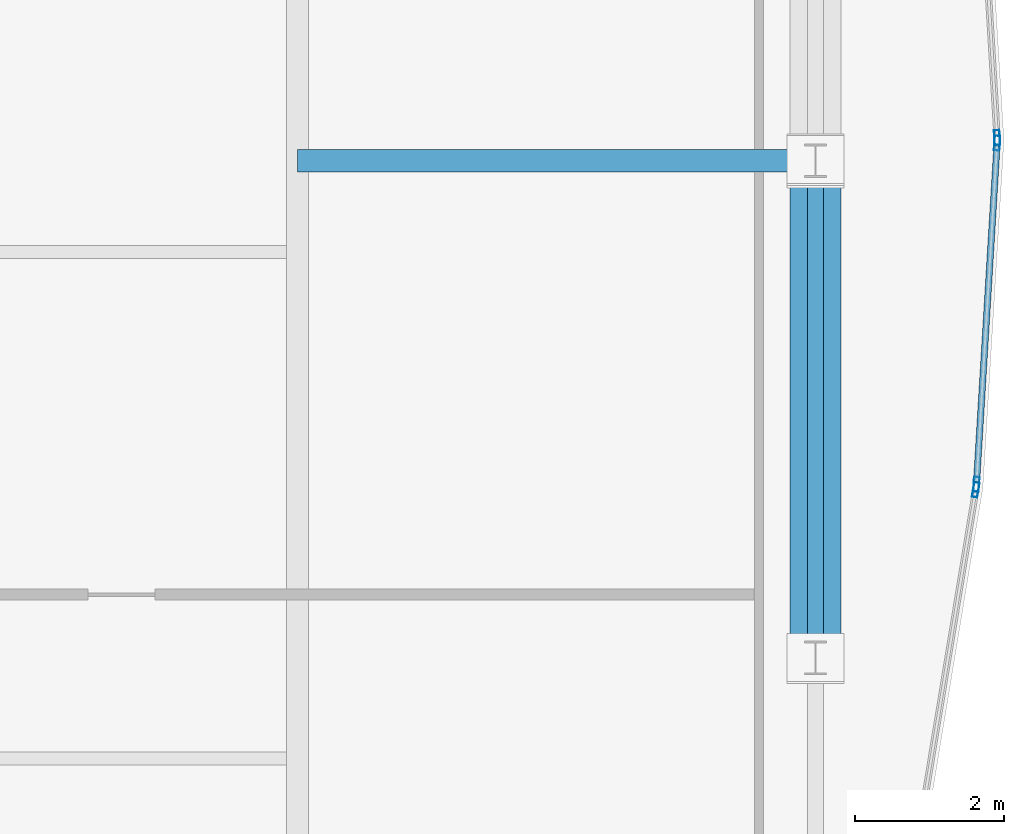
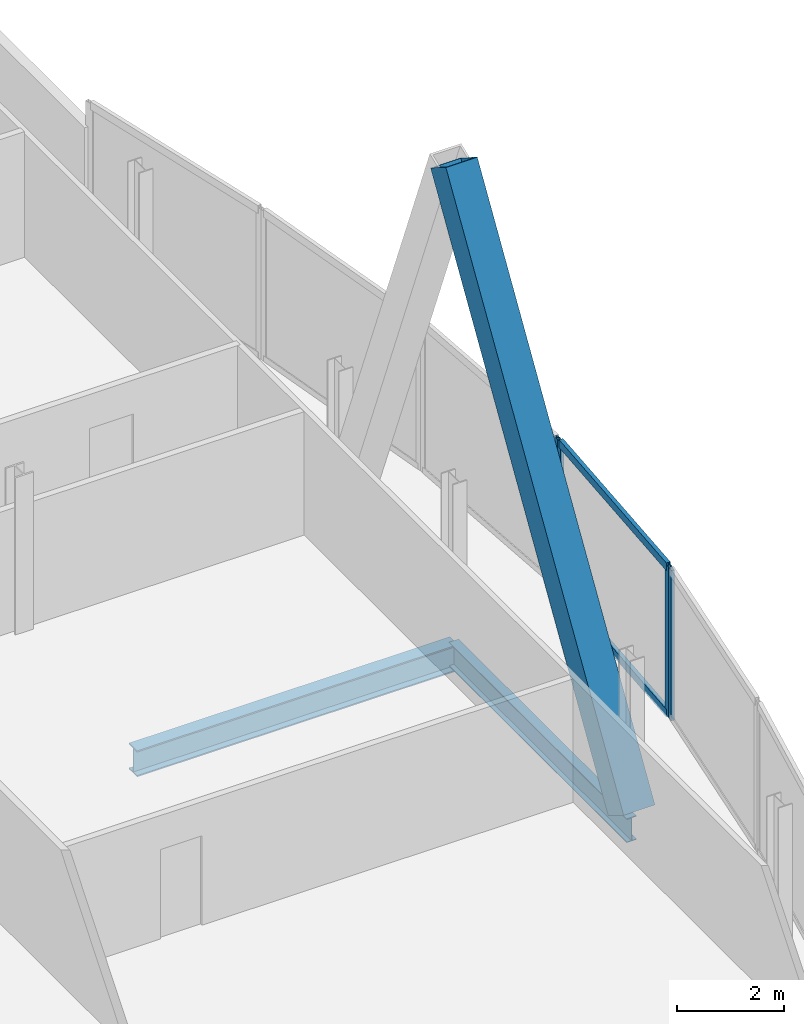
# One storey, part 19 of 31: 7 members, 2 beams, 3 elements without a shape of their own.
"""IFC4 building model written with IfcOpenShell, lengths in metres."""

from ifc_helpers import new_model, si_unit, direction, frame, origin, origin_2d, place, context, subcontext, project, spatial, hollow_rectangle, i_section, extrude, material, material_profile, profile_set, type_object, element, aggregate, save


model = new_model("IFC4")

# Units and contexts
model_context = context("Model", 3, precision=1e-05, world=origin(), true_north=direction((0.0, 1.0)))
body_context = subcontext(model_context, "Body", "Model", "MODEL_VIEW")
ifc_project = project(units=[si_unit("LENGTHUNIT", "METRE"), si_unit("AREAUNIT", "SQUARE_METRE"), si_unit("VOLUMEUNIT", "CUBIC_METRE"), si_unit("PLANEANGLEUNIT", "RADIAN"), si_unit("MASSUNIT", "GRAM", prefix="KILO")], contexts=[model_context])

# Site, building, storey
site_placement = place(None, origin())
site = spatial("IfcSite", under=ifc_project, at=site_placement, CompositionType="ELEMENT")
building_placement = place(site_placement, origin())
building = spatial("IfcBuilding", under=site, at=building_placement, Name="Khoronbel Lancet Exchange", CompositionType="ELEMENT")
storey_placement = place(building_placement, frame((0.0, 0.0, 325.39990234375)))
storey = spatial("IfcBuildingStorey", under=building, at=storey_placement, Name="L84", CompositionType="ELEMENT", Elevation=325.39990234375)

# Beams
ifc_material_1 = material(Name="Steel S355", Category="steel")
ifc_material_profile_1 = material_profile(ifc_material_1, i_section(OverallWidth=0.300048828125, OverallDepth=0.60009765625, WebThickness=0.015380859375, FlangeThickness=0.030029296875, at=origin_2d()), Name="HEB 600")
ifc_profile_set_1 = profile_set([ifc_material_profile_1], Name="Steel S355")
beam_type_1 = type_object("IfcBeamType", Name="BM-BG5", PredefinedType="BEAM", material=ifc_profile_set_1)
beam_1_placement = place(storey_placement, frame((54.675048828125, 31.425048828125, -0.4599609375), z_axis=(1.0, 0.0, 0.0), x_axis=(0.0, 1.0, 0.0)))
element("IfcBeam", 1, at=beam_1_placement, inside=storey, type_object=beam_type_1, Name="Level L84 east lens tie girder LG2E", PredefinedType="BEAM", context=body_context, shape_type="SweptSolid", body=[
    extrude(i_section(OverallWidth=0.300048828125, OverallDepth=0.60009765625, WebThickness=0.015380859375, FlangeThickness=0.030029296875, at=origin_2d()), origin(), (0.0, 0.0, 1.0), 6.954833984375),
])
ifc_material_profile_2 = material_profile(ifc_material_1, i_section(OverallWidth=0.2099609375, OverallDepth=0.550048828125, WebThickness=0.010986328125, FlangeThickness=0.01708984375, at=origin_2d()), Name="IPE 550")
ifc_profile_set_2 = profile_set([ifc_material_profile_2], Name="Steel S355")
beam_type_2 = type_object("IfcBeamType", Name="BM-BSP3", PredefinedType="SPANDREL", material=ifc_profile_set_2)
beam_2_placement = place(storey_placement, frame((61.6298828125, 24.75, -0.434814453125), z_axis=(0.0, 1.0, 0.0), x_axis=(-1.0, 0.0, 0.0)))
element("IfcBeam", 2, at=beam_2_placement, inside=storey, type_object=beam_type_2, Name="Level L84 perimeter spandrel beam SP10", PredefinedType="SPANDREL", context=body_context, shape_type="SweptSolid", body=[
    extrude(i_section(OverallWidth=0.2099609375, OverallDepth=0.550048828125, WebThickness=0.010986328125, FlangeThickness=0.01708984375, at=origin_2d()), origin(), (0.0, 0.0, 1.0), 6.675048828125),
])

# Curtain wall, member
ifc_material_2 = material(Name="Low-E Solar Control Insulating Glass", Category="glass")
curtain_wall_type = type_object("IfcCurtainWallType", Name="CW-4", PredefinedType="NOTDEFINED", material=ifc_material_2)
curtain_wall_1_placement = place(storey_placement, origin())
curtain_wall_1 = element("IfcCurtainWall", 3, at=curtain_wall_1_placement, inside=storey, type_object=curtain_wall_type, Name="Unitised curtain wall CW-L84-E19", PredefinedType="NOTDEFINED")
ifc_material_3 = material(Name="Bronze-Anodised Aluminium 6063-T6", Category="aluminium")
ifc_material_profile_3 = material_profile(ifc_material_3, hollow_rectangle(XDim=0.074951171875, YDim=0.199951171875, WallThickness=0.0048828125, at=origin_2d()), Name="ALU MULLION 75x200")
ifc_profile_set_3 = profile_set([ifc_material_profile_3], Name="Bronze-Anodised Aluminium 6063-T6")
member_type_1 = type_object("IfcMemberType", Name="MEM-CWM2", PredefinedType="MULLION", material=ifc_profile_set_3)
member_1_placement = place(storey_placement, frame((64.068359375, 31.737548828125, 0.0), z_axis=(0.0, 0.0, 1.0), x_axis=(0.998168731964, 0.060491177294, 0.0)))
member_1 = element("IfcMember", 4, at=member_1_placement, type_object=member_type_1, Name="CW4 mullion 2", PredefinedType="MULLION", context=body_context, shape_type="SweptSolid", body=[
    extrude(hollow_rectangle(XDim=0.074951171875, YDim=0.199951171875, WallThickness=0.0048828125, at=origin_2d()), origin(), (0.0, 0.0, 1.0), 3.440185546875),
])
aggregate(curtain_wall_1, [member_1])

# Curtain wall, members
curtain_wall_2_placement = place(storey_placement, origin())
curtain_wall_2 = element("IfcCurtainWall", 5, at=curtain_wall_2_placement, inside=storey, type_object=curtain_wall_type, Name="Unitised curtain wall CW-L84-E20", PredefinedType="NOTDEFINED")
member_2_placement = place(storey_placement, frame((64.068359375, 31.66259765625, 0.0), z_axis=(0.0, 0.0, 1.0), x_axis=(0.998168731964, -0.060491177294, 0.0)))
member_2 = element("IfcMember", 6, at=member_2_placement, type_object=member_type_1, Name="CW4 mullion 1", PredefinedType="MULLION", context=body_context, shape_type="SweptSolid", body=[
    extrude(hollow_rectangle(XDim=0.074951171875, YDim=0.199951171875, WallThickness=0.0048828125, at=origin_2d()), origin(), (0.0, 0.0, 1.0), 3.440185546875),
])
member_3_placement = place(storey_placement, frame((63.790771484375, 27.080810546875, 0.0), z_axis=(0.0, 0.0, 1.0), x_axis=(0.998168731964, -0.060491177294, 0.0)))
member_3 = element("IfcMember", 7, at=member_3_placement, type_object=member_type_1, Name="CW4 mullion 2", PredefinedType="MULLION", context=body_context, shape_type="SweptSolid", body=[
    extrude(hollow_rectangle(XDim=0.074951171875, YDim=0.199951171875, WallThickness=0.0048828125, at=origin_2d()), origin(), (0.0, 0.0, 1.0), 3.440185546875),
])

# Curtain wall, member
curtain_wall_3_placement = place(storey_placement, origin())
curtain_wall_3 = element("IfcCurtainWall", 8, at=curtain_wall_3_placement, inside=storey, type_object=curtain_wall_type, Name="Unitised curtain wall CW-L84-E21", PredefinedType="NOTDEFINED")
member_4_placement = place(storey_placement, frame((63.7822265625, 27.00634765625, 0.0), z_axis=(0.0, 0.0, 1.0), x_axis=(0.98657075141, -0.163334480321, 0.0)))
member_4 = element("IfcMember", 9, at=member_4_placement, type_object=member_type_1, Name="CW4 mullion 1", PredefinedType="MULLION", context=body_context, shape_type="SweptSolid", body=[
    extrude(hollow_rectangle(XDim=0.074951171875, YDim=0.199951171875, WallThickness=0.0048828125, at=origin_2d()), origin(), (0.0, 0.0, 1.0), 3.440185546875),
])
aggregate(curtain_wall_3, [member_4])

# Member
ifc_material_profile_4 = material_profile(ifc_material_3, hollow_rectangle(XDim=0.0849609375, YDim=0.179931640625, WallThickness=0.0048828125, at=origin_2d()), Name="ALU TRANSOM 85x180")
ifc_profile_set_4 = profile_set([ifc_material_profile_4], Name="Bronze-Anodised Aluminium 6063-T6")
member_type_2 = type_object("IfcMemberType", Name="MEM-CWT1", PredefinedType="USERDEFINED", material=ifc_profile_set_4)
member_5_placement = place(storey_placement, frame((64.066162109375, 31.625244140625, 0.04248046875), z_axis=(-0.060503222693, -0.998168001913, 0.0), x_axis=(0.998168001913, -0.060503222693, 0.0)))
member_5 = element("IfcMember", 10, at=member_5_placement, type_object=member_type_2, Name="CW4 transom 1.1", ObjectType="TRANSOM", PredefinedType="USERDEFINED", context=body_context, shape_type="SweptSolid", body=[
    extrude(hollow_rectangle(XDim=0.0849609375, YDim=0.179931640625, WallThickness=0.0048828125, at=origin_2d()), origin(), (0.0, 0.0, 1.0), 4.515380859375),
])

member_6_placement = place(storey_placement, frame((64.066162109375, 31.625244140625, 3.397705078125), z_axis=(-0.060503222693, -0.998168001913, 0.0), x_axis=(0.998168001913, -0.060503222693, 0.0)))
member_6 = element("IfcMember", 11, at=member_6_placement, type_object=member_type_2, Name="CW4 transom 1.2", ObjectType="TRANSOM", PredefinedType="USERDEFINED", context=body_context, shape_type="SweptSolid", body=[
    extrude(hollow_rectangle(XDim=0.0849609375, YDim=0.179931640625, WallThickness=0.0048828125, at=origin_2d()), origin(), (0.0, 0.0, 1.0), 4.515380859375),
])

aggregate(curtain_wall_2, [member_2, member_3, member_5, member_6])

ifc_material_4 = material(Name="Steel S460", Category="steel")
ifc_material_profile_5 = material_profile(ifc_material_4, hollow_rectangle(XDim=0.679931640625, YDim=0.679931640625, WallThickness=0.044921875, at=origin_2d()), Name="BOX 680x680x45")
ifc_profile_set_5 = profile_set([ifc_material_profile_5], Name="Steel S460")
member_type_3 = type_object("IfcMemberType", Name="MEM-MB3", PredefinedType="BRACE", material=ifc_profile_set_5)
member_7_placement = place(storey_placement, frame((61.6298828125, 24.75, 0.0), z_axis=(0.0, 0.525745449971, 0.850641946906), x_axis=(-1.0, 0.0, 0.0)))
element("IfcMember", 12, at=member_7_placement, inside=storey, type_object=member_type_3, Name="Perimeter lancet brace tier 29 E-P-L", PredefinedType="BRACE", context=body_context, shape_type="SweptSolid", body=[
    extrude(hollow_rectangle(XDim=0.679931640625, YDim=0.679931640625, WallThickness=0.044921875, at=origin_2d()), origin(), (0.0, 0.0, 1.0), 12.6962890625),
])

save(model, "model.ifc")
